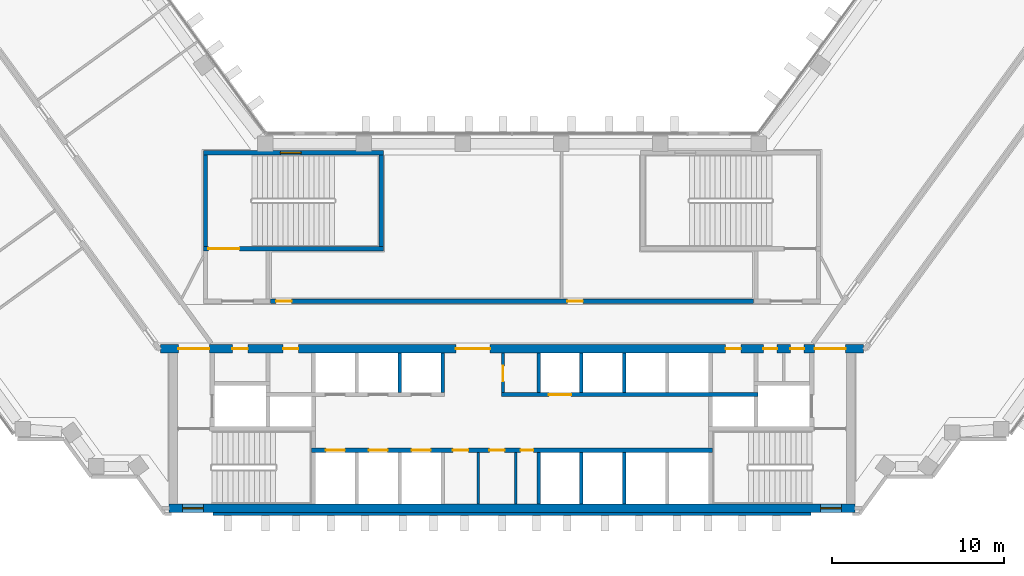
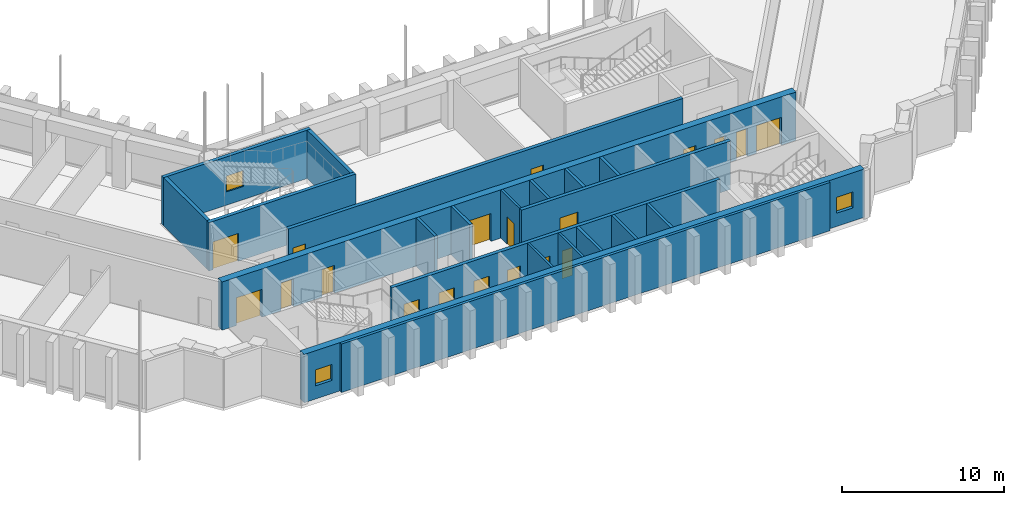
# One storey, part 10 of 16: 21 walls, 19 doors, 3 windows, 22 openings.
"""IFC4 building model written with IfcOpenShell, lengths in metres."""

from ifc_helpers import new_model, si_unit, direction, frame, frame_2d, origin, place, context, subcontext, project, spatial, rectangle, extrude, material, layer, layer_set, type_object, element, fill, save


model = new_model("IFC4")

# Units and contexts
model_context = context("Model", 3, precision=1e-05, world=origin(), true_north=direction((0.0, 1.0)))
body_context = subcontext(model_context, "Body", "Model", "MODEL_VIEW")
ifc_project = project(units=[si_unit("LENGTHUNIT", "METRE"), si_unit("AREAUNIT", "SQUARE_METRE"), si_unit("VOLUMEUNIT", "CUBIC_METRE"), si_unit("PLANEANGLEUNIT", "RADIAN"), si_unit("MASSUNIT", "GRAM", prefix="KILO")], contexts=[model_context])

# Site, building, storey
site_placement = place(None, origin())
site = spatial("IfcSite", under=ifc_project, at=site_placement, CompositionType="ELEMENT")
building_placement = place(site_placement, origin())
building = spatial("IfcBuilding", under=site, at=building_placement, Name="Quipu Civic Tower", CompositionType="ELEMENT")
storey_placement = place(building_placement, frame((0.0, 0.0, 89.0)))
storey = spatial("IfcBuildingStorey", under=building, at=storey_placement, Name="L20", CompositionType="ELEMENT", Elevation=89.0)

# Wall, openings, doors
ifc_material_1 = material(Name="Concrete C70/85", Category="concrete")
ifc_layer_1 = layer(ifc_material_1, 0.25)
ifc_layer_set_1 = layer_set([ifc_layer_1], Name="Concrete C70/85")
wall_type_1 = type_object("IfcWallType", Name="Core wall 250", PredefinedType="SHEAR", material=ifc_layer_set_1)
wall_1_placement = place(storey_placement, frame((11.699951171875, -7.375, 0.0), z_axis=(0.0, 0.0, 1.0), x_axis=(-1.0, 0.0, 0.0)))
wall_1 = element("IfcWall", 1, at=wall_1_placement, inside=storey, type_object=wall_type_1, Name="Core wall", PredefinedType="SHEAR", context=body_context, shape_type="SweptSolid", body=[
    extrude(rectangle(XDim=23.39990234375, YDim=0.25, at=frame_2d((11.699951171875, 0.0))), origin(), (0.0, 0.0, 1.0), 3.64990234375),
])
opening_1_placement = place(wall_1_placement, frame((21.449951171875, 0.0, 0.0)))
opening_1 = element("IfcOpeningElement", 2, at=opening_1_placement, cuts=wall_1, Name="Opening LD-LL1", PredefinedType="OPENING", context=body_context, shape_type="SweptSolid", body=[
    extrude(rectangle(XDim=1.10009765625, YDim=2.10009765625, at=frame_2d((0.550048828125, 1.050048828125))), frame((0.0, 0.135009765625, 0.0), z_axis=(0.0, -1.0, 0.0), x_axis=(1.0, 0.0, 0.0)), (0.0, 0.0, 1.0), 0.27001953125),
])
opening_2_placement = place(wall_1_placement, frame((18.949951171875, 0.0, 0.0)))
opening_2 = element("IfcOpeningElement", 3, at=opening_2_placement, cuts=wall_1, Name="Opening LD-LL2", PredefinedType="OPENING", context=body_context, shape_type="SweptSolid", body=[
    extrude(rectangle(XDim=1.10009765625, YDim=2.10009765625, at=frame_2d((0.550048828125, 1.050048828125))), frame((0.0, 0.135009765625, 0.0), z_axis=(0.0, -1.0, 0.0), x_axis=(1.0, 0.0, 0.0)), (0.0, 0.0, 1.0), 0.27001953125),
])
opening_3_placement = place(wall_1_placement, frame((16.449951171875, 0.0, 0.0)))
opening_3 = element("IfcOpeningElement", 4, at=opening_3_placement, cuts=wall_1, Name="Opening LD-LL3", PredefinedType="OPENING", context=body_context, shape_type="SweptSolid", body=[
    extrude(rectangle(XDim=1.10009765625, YDim=2.10009765625, at=frame_2d((0.550048828125, 1.050048828125))), frame((0.0, 0.135009765625, 0.0), z_axis=(0.0, -1.0, 0.0), x_axis=(1.0, 0.0, 0.0)), (0.0, 0.0, 1.0), 0.27001953125),
])
opening_4_placement = place(wall_1_placement, frame((14.25, 0.0, 0.0)))
opening_4 = element("IfcOpeningElement", 5, at=opening_4_placement, cuts=wall_1, Name="Opening CD-01", PredefinedType="OPENING", context=body_context, shape_type="SweptSolid", body=[
    extrude(rectangle(XDim=0.89990234375, YDim=2.10009765625, at=frame_2d((0.449951171875, 1.050048828125))), frame((0.0, 0.135009765625, 0.0), z_axis=(0.0, -1.0, 0.0), x_axis=(1.0, 0.0, 0.0)), (0.0, 0.0, 1.0), 0.27001953125),
])
opening_5_placement = place(wall_1_placement, frame((12.125, 0.0, 0.0)))
opening_5 = element("IfcOpeningElement", 6, at=opening_5_placement, cuts=wall_1, Name="Opening CD-02", PredefinedType="OPENING", context=body_context, shape_type="SweptSolid", body=[
    extrude(rectangle(XDim=0.89990234375, YDim=2.10009765625, at=frame_2d((0.449951171875, 1.050048828125))), frame((0.0, 0.135009765625, 0.0), z_axis=(0.0, -1.0, 0.0), x_axis=(1.0, 0.0, 0.0)), (0.0, 0.0, 1.0), 0.27001953125),
])
opening_6_placement = place(wall_1_placement, frame((10.449951171875, 0.0, 0.0)))
opening_6 = element("IfcOpeningElement", 7, at=opening_6_placement, cuts=wall_1, Name="Opening CD-03", PredefinedType="OPENING", context=body_context, shape_type="SweptSolid", body=[
    extrude(rectangle(XDim=0.75, YDim=2.10009765625, at=frame_2d((0.375, 1.050048828125))), frame((0.0, 0.135009765625, 0.0), z_axis=(0.0, -1.0, 0.0), x_axis=(1.0, 0.0, 0.0)), (0.0, 0.0, 1.0), 0.27001953125),
])
ifc_material_2 = material(Name="Fire rated steel door", Category="steel")
door_type_1 = type_object("IfcDoorType", Name="Fire door FD60 750 x 2100", OperationType="NOTDEFINED", PredefinedType="DOOR", material=ifc_material_2)
door_1_placement = place(opening_6_placement, origin())
door_1 = element("IfcDoor", 8, at=door_1_placement, inside=storey, type_object=door_type_1, Name="Door", OperationType="SINGLE_SWING_LEFT", OverallHeight=2.10009765625, OverallWidth=0.75, PredefinedType="DOOR", context=body_context, shape_type="SweptSolid", body=[
    extrude(rectangle(XDim=0.75, YDim=2.10009765625, at=frame_2d((0.375, 1.050048828125))), frame((0.0, 0.02490234375, 0.0), z_axis=(0.0, -1.0, 0.0), x_axis=(1.0, 0.0, 0.0)), (0.0, 0.0, 1.0), 0.050048828125),
])
fill(opening_6, door_1)
ifc_material_3 = material(Name="Fire rated steel door", Category="steel")
door_type_2 = type_object("IfcDoorType", Name="Fire door FD60 900 x 2100", OperationType="NOTDEFINED", PredefinedType="DOOR", material=ifc_material_3)
door_2_placement = place(opening_4_placement, origin())
door_2 = element("IfcDoor", 9, at=door_2_placement, inside=storey, type_object=door_type_2, Name="WC door", OperationType="SINGLE_SWING_RIGHT", OverallHeight=2.10009765625, OverallWidth=0.89990234375, PredefinedType="DOOR", context=body_context, shape_type="SweptSolid", body=[
    extrude(rectangle(XDim=0.89990234375, YDim=2.10009765625, at=frame_2d((0.449951171875, 1.050048828125))), frame((0.0, 0.02490234375, 0.0), z_axis=(0.0, -1.0, 0.0), x_axis=(1.0, 0.0, 0.0)), (0.0, 0.0, 1.0), 0.050048828125),
])
fill(opening_4, door_2)
door_3_placement = place(opening_5_placement, origin())
door_3 = element("IfcDoor", 10, at=door_3_placement, inside=storey, type_object=door_type_2, Name="WC door", OperationType="SINGLE_SWING_RIGHT", OverallHeight=2.10009765625, OverallWidth=0.89990234375, PredefinedType="DOOR", context=body_context, shape_type="SweptSolid", body=[
    extrude(rectangle(XDim=0.89990234375, YDim=2.10009765625, at=frame_2d((0.449951171875, 1.050048828125))), frame((0.0, 0.02490234375, 0.0), z_axis=(0.0, -1.0, 0.0), x_axis=(1.0, 0.0, 0.0)), (0.0, 0.0, 1.0), 0.050048828125),
])
fill(opening_5, door_3)
ifc_material_4 = material(Name="Stainless steel", Category="steel")
door_type_3 = type_object("IfcDoorType", Name="Lift landing door 1100 x 2100", OperationType="DOUBLE_DOOR_SLIDING", PredefinedType="DOOR", material=ifc_material_4)
door_4_placement = place(opening_1_placement, origin())
door_4 = element("IfcDoor", 11, at=door_4_placement, inside=storey, type_object=door_type_3, Name="Landing door LL1", OperationType="DOUBLE_DOOR_SLIDING", OverallHeight=2.10009765625, OverallWidth=1.10009765625, PredefinedType="DOOR", context=body_context, shape_type="SweptSolid", body=[
    extrude(rectangle(XDim=1.10009765625, YDim=2.10009765625, at=frame_2d((0.550048828125, 1.050048828125))), frame((0.0, 0.02490234375, 0.0), z_axis=(0.0, -1.0, 0.0), x_axis=(1.0, 0.0, 0.0)), (0.0, 0.0, 1.0), 0.050048828125),
])
fill(opening_1, door_4)
door_5_placement = place(opening_2_placement, origin())
door_5 = element("IfcDoor", 12, at=door_5_placement, inside=storey, type_object=door_type_3, Name="Landing door LL2", OperationType="DOUBLE_DOOR_SLIDING", OverallHeight=2.10009765625, OverallWidth=1.10009765625, PredefinedType="DOOR", context=body_context, shape_type="SweptSolid", body=[
    extrude(rectangle(XDim=1.10009765625, YDim=2.10009765625, at=frame_2d((0.550048828125, 1.050048828125))), frame((0.0, 0.02490234375, 0.0), z_axis=(0.0, -1.0, 0.0), x_axis=(1.0, 0.0, 0.0)), (0.0, 0.0, 1.0), 0.050048828125),
])
fill(opening_2, door_5)
door_6_placement = place(opening_3_placement, origin())
door_6 = element("IfcDoor", 13, at=door_6_placement, inside=storey, type_object=door_type_3, Name="Landing door LL3", OperationType="DOUBLE_DOOR_SLIDING", OverallHeight=2.10009765625, OverallWidth=1.10009765625, PredefinedType="DOOR", context=body_context, shape_type="SweptSolid", body=[
    extrude(rectangle(XDim=1.10009765625, YDim=2.10009765625, at=frame_2d((0.550048828125, 1.050048828125))), frame((0.0, 0.02490234375, 0.0), z_axis=(0.0, -1.0, 0.0), x_axis=(1.0, 0.0, 0.0)), (0.0, 0.0, 1.0), 0.050048828125),
])
fill(opening_3, door_6)

# Wall, opening, door
wall_2_placement = place(storey_placement, frame((-0.60009765625, -4.125, 0.0), z_axis=(0.0, 0.0, 1.0), x_axis=(1.0, 0.0, 0.0)))
wall_2 = element("IfcWall", 14, at=wall_2_placement, inside=storey, type_object=wall_type_1, Name="Core wall", PredefinedType="SHEAR", context=body_context, shape_type="SweptSolid", body=[
    extrude(rectangle(XDim=14.9501953125, YDim=0.25, at=frame_2d((7.47509765625, 0.0))), origin(), (0.0, 0.0, 1.0), 3.64990234375),
])
opening_7_placement = place(wall_2_placement, frame((2.75, 0.0, 0.0)))
opening_7 = element("IfcOpeningElement", 15, at=opening_7_placement, cuts=wall_2, Name="Opening LD-FF3", PredefinedType="OPENING", context=body_context, shape_type="SweptSolid", body=[
    extrude(rectangle(XDim=1.300048828125, YDim=2.10009765625, at=frame_2d((0.64990234375, 1.050048828125))), frame((0.0, 0.135009765625, 0.0), z_axis=(0.0, -1.0, 0.0), x_axis=(1.0, 0.0, 0.0)), (0.0, 0.0, 1.0), 0.27001953125),
])
ifc_material_5 = material(Name="Stainless steel", Category="steel")
door_type_4 = type_object("IfcDoorType", Name="Lift landing door 1300 x 2100", OperationType="DOUBLE_DOOR_SLIDING", PredefinedType="DOOR", material=ifc_material_5)
door_7_placement = place(opening_7_placement, origin())
door_7 = element("IfcDoor", 16, at=door_7_placement, inside=storey, type_object=door_type_4, Name="Landing door FF3", OperationType="DOUBLE_DOOR_SLIDING", OverallHeight=2.10009765625, OverallWidth=1.300048828125, PredefinedType="DOOR", context=body_context, shape_type="SweptSolid", body=[
    extrude(rectangle(XDim=1.300048828125, YDim=2.10009765625, at=frame_2d((0.64990234375, 1.050048828125))), frame((0.0, 0.02490234375, 0.0), z_axis=(0.0, -1.0, 0.0), x_axis=(1.0, 0.0, 0.0)), (0.0, 0.0, 1.0), 0.050048828125),
])
fill(opening_7, door_7)

wall_3_placement = place(storey_placement, frame((-18.0, 4.375, 0.0), z_axis=(0.0, 0.0, 1.0), x_axis=(1.0, 0.0, 0.0)))
wall_3 = element("IfcWall", 17, at=wall_3_placement, inside=storey, type_object=wall_type_1, Name="Core wall", PredefinedType="SHEAR", context=body_context, shape_type="SweptSolid", body=[
    extrude(rectangle(XDim=10.5, YDim=0.25, at=frame_2d((5.25, 0.0))), origin(), (0.0, 0.0, 1.0), 3.64990234375),
])
opening_8_placement = place(wall_3_placement, frame((0.300048828125, 0.0, 0.0)))
opening_8 = element("IfcOpeningElement", 18, at=opening_8_placement, cuts=wall_3, Name="Opening CD-16", PredefinedType="OPENING", context=body_context, shape_type="SweptSolid", body=[
    extrude(rectangle(XDim=1.800048828125, YDim=2.10009765625, at=frame_2d((0.89990234375, 1.050048828125))), frame((0.0, 0.135009765625, 0.0), z_axis=(0.0, -1.0, 0.0), x_axis=(1.0, 0.0, 0.0)), (0.0, 0.0, 1.0), 0.27001953125),
])
ifc_material_6 = material(Name="Fire rated steel door", Category="steel")
door_type_5 = type_object("IfcDoorType", Name="Fire door FD90 double 1800 x 2100", OperationType="NOTDEFINED", PredefinedType="DOOR", material=ifc_material_6)
door_8_placement = place(opening_8_placement, origin())
door_8 = element("IfcDoor", 19, at=door_8_placement, inside=storey, type_object=door_type_5, Name="Door", OperationType="DOUBLE_DOOR_SINGLE_SWING", OverallHeight=2.10009765625, OverallWidth=1.800048828125, PredefinedType="DOOR", context=body_context, shape_type="SweptSolid", body=[
    extrude(rectangle(XDim=1.800048828125, YDim=2.10009765625, at=frame_2d((0.89990234375, 1.050048828125))), frame((0.0, 0.02490234375, 0.0), z_axis=(0.0, -1.0, 0.0), x_axis=(1.0, 0.0, 0.0)), (0.0, 0.0, 1.0), 0.050048828125),
])
fill(opening_8, door_8)

# Walls
for number, where, z_axis, x_axis, name in (
    (20, (-17.875, 4.5, 0.0), (0.0, 0.0, 1.0), (0.0, 1.0, 0.0), "Core wall"),
    (21, (-7.625, 4.5, 0.0), (0.0, 0.0, 1.0), (0.0, 1.0, 0.0), "Core wall"),
):
    element("IfcWall", number, at=place(storey_placement, frame(where, z_axis=z_axis, x_axis=x_axis)), inside=storey, type_object=wall_type_1, Name=name, PredefinedType="SHEAR", context=body_context, shape_type="SweptSolid", body=[
        extrude(rectangle(XDim=5.35009765625, YDim=0.25, at=frame_2d((2.675048828125, 0.0))), origin(), (0.0, 0.0, 1.0), 3.64990234375),
    ])

# Wall, opening, window
wall_4_placement = place(storey_placement, frame((-18.0, 9.97509765625, 0.0), z_axis=(0.0, 0.0, 1.0), x_axis=(1.0, 0.0, 0.0)))
wall_4 = element("IfcWall", 22, at=wall_4_placement, inside=storey, type_object=wall_type_1, Name="Core wall", PredefinedType="SHEAR", context=body_context, shape_type="SweptSolid", body=[
    extrude(rectangle(XDim=10.5, YDim=0.25, at=frame_2d((5.25, 0.0))), origin(), (0.0, 0.0, 1.0), 3.64990234375),
])
opening_9_placement = place(wall_4_placement, frame((4.5, 0.0, 1.0)))
opening_9 = element("IfcOpeningElement", 23, at=opening_9_placement, cuts=wall_4, Name="Opening SV-3", PredefinedType="OPENING", context=body_context, shape_type="SweptSolid", body=[
    extrude(rectangle(XDim=1.199951171875, YDim=1.199951171875, at=frame_2d((0.60009765625, 0.60009765625))), frame((0.0, 0.135009765625, 0.0), z_axis=(0.0, -1.0, 0.0), x_axis=(1.0, 0.0, 0.0)), (0.0, 0.0, 1.0), 0.27001953125),
])
ifc_material_7 = material(Name="Aluminium louvre", Category="aluminium")
window_type = type_object("IfcWindowType", Name="Stair ventilation louvre 1200 x 1200", PartitioningType="SINGLE_PANEL", PredefinedType="WINDOW", material=ifc_material_7)
window_1_placement = place(opening_9_placement, origin())
window_1 = element("IfcWindow", 24, at=window_1_placement, inside=storey, type_object=window_type, Name="Stair ventilation opening", OverallHeight=1.199951171875, OverallWidth=1.199951171875, PartitioningType="SINGLE_PANEL", PredefinedType="WINDOW", context=body_context, shape_type="SweptSolid", body=[
    extrude(rectangle(XDim=1.199951171875, YDim=1.199951171875, at=frame_2d((0.60009765625, 0.60009765625))), frame((0.0, 0.030029296875, 0.0), z_axis=(0.0, -1.0, 0.0), x_axis=(1.0, 0.0, 0.0)), (0.0, 0.0, 1.0), 0.06005859375),
])
fill(opening_9, window_1)

# Wall, openings, windows
ifc_material_8 = material(Name="Concrete C70/85", Category="concrete")
ifc_layer_2 = layer(ifc_material_8, 0.5)
ifc_layer_set_2 = layer_set([ifc_layer_2], Name="Concrete C70/85")
wall_type_2 = type_object("IfcWallType", Name="Core wall 500", PredefinedType="SHEAR", material=ifc_layer_set_2)
wall_5_placement = place(storey_placement, frame((-20.0, -10.75, 0.0), z_axis=(0.0, 0.0, 1.0), x_axis=(1.0, 0.0, 0.0)))
wall_5 = element("IfcWall", 25, at=wall_5_placement, inside=storey, type_object=wall_type_2, Name="Core wall", PredefinedType="SHEAR", context=body_context, shape_type="SweptSolid", body=[
    extrude(rectangle(XDim=40.0, YDim=0.5, at=frame_2d((20.0, 0.0))), origin(), (0.0, 0.0, 1.0), 3.64990234375),
])
opening_10_placement = place(wall_5_placement, frame((0.800048828125, 0.0, 1.0)))
opening_10 = element("IfcOpeningElement", 26, at=opening_10_placement, cuts=wall_5, Name="Opening SV-1", PredefinedType="OPENING", context=body_context, shape_type="SweptSolid", body=[
    extrude(rectangle(XDim=1.199951171875, YDim=1.199951171875, at=frame_2d((0.60009765625, 0.60009765625))), frame((0.0, 0.260009765625, 0.0), z_axis=(0.0, -1.0, 0.0), x_axis=(1.0, 0.0, 0.0)), (0.0, 0.0, 1.0), 0.52001953125),
])
opening_11_placement = place(wall_5_placement, frame((38.0, 0.0, 1.0)))
opening_11 = element("IfcOpeningElement", 27, at=opening_11_placement, cuts=wall_5, Name="Opening SV-2", PredefinedType="OPENING", context=body_context, shape_type="SweptSolid", body=[
    extrude(rectangle(XDim=1.199951171875, YDim=1.199951171875, at=frame_2d((0.60009765625, 0.60009765625))), frame((0.0, 0.260009765625, 0.0), z_axis=(0.0, -1.0, 0.0), x_axis=(1.0, 0.0, 0.0)), (0.0, 0.0, 1.0), 0.52001953125),
])
window_2_placement = place(opening_10_placement, origin())
window_2 = element("IfcWindow", 28, at=window_2_placement, inside=storey, type_object=window_type, Name="Stair ventilation opening", OverallHeight=1.199951171875, OverallWidth=1.199951171875, PartitioningType="SINGLE_PANEL", PredefinedType="WINDOW", context=body_context, shape_type="SweptSolid", body=[
    extrude(rectangle(XDim=1.199951171875, YDim=1.199951171875, at=frame_2d((0.60009765625, 0.60009765625))), frame((0.0, 0.030029296875, 0.0), z_axis=(0.0, -1.0, 0.0), x_axis=(1.0, 0.0, 0.0)), (0.0, 0.0, 1.0), 0.06005859375),
])
fill(opening_10, window_2)
window_3_placement = place(opening_11_placement, origin())
window_3 = element("IfcWindow", 29, at=window_3_placement, inside=storey, type_object=window_type, Name="Stair ventilation opening", OverallHeight=1.199951171875, OverallWidth=1.199951171875, PartitioningType="SINGLE_PANEL", PredefinedType="WINDOW", context=body_context, shape_type="SweptSolid", body=[
    extrude(rectangle(XDim=1.199951171875, YDim=1.199951171875, at=frame_2d((0.60009765625, 0.60009765625))), frame((0.0, 0.030029296875, 0.0), z_axis=(0.0, -1.0, 0.0), x_axis=(1.0, 0.0, 0.0)), (0.0, 0.0, 1.0), 0.06005859375),
])
fill(opening_11, window_3)

# Wall, openings, doors
wall_6_placement = place(storey_placement, frame((20.489990234375, -1.449951171875, 0.0), z_axis=(0.0, 0.0, 1.0), x_axis=(-1.0, 0.0, 0.0)))
wall_6 = element("IfcWall", 30, at=wall_6_placement, inside=storey, type_object=wall_type_2, Name="Core wall", PredefinedType="SHEAR", context=body_context, shape_type="SweptSolid", body=[
    extrude(rectangle(XDim=40.97998046875, YDim=0.5, at=frame_2d((20.489990234375, 0.0))), origin(), (0.0, 0.0, 1.0), 3.64990234375),
])
opening_12_placement = place(wall_6_placement, frame((38.139892578125, 0.0, 0.0)))
opening_12 = element("IfcOpeningElement", 31, at=opening_12_placement, cuts=wall_6, Name="Opening CD-07", PredefinedType="OPENING", context=body_context, shape_type="SweptSolid", body=[
    extrude(rectangle(XDim=1.800048828125, YDim=2.10009765625, at=frame_2d((0.89990234375, 1.050048828125))), frame((0.0, 0.260009765625, 0.0), z_axis=(0.0, -1.0, 0.0), x_axis=(1.0, 0.0, 0.0)), (0.0, 0.0, 1.0), 0.52001953125),
])
opening_13_placement = place(wall_6_placement, frame((35.889892578125, 0.0, 0.0)))
opening_13 = element("IfcOpeningElement", 32, at=opening_13_placement, cuts=wall_6, Name="Opening CD-08", PredefinedType="OPENING", context=body_context, shape_type="SweptSolid", body=[
    extrude(rectangle(XDim=0.89990234375, YDim=2.10009765625, at=frame_2d((0.449951171875, 1.050048828125))), frame((0.0, 0.260009765625, 0.0), z_axis=(0.0, -1.0, 0.0), x_axis=(1.0, 0.0, 0.0)), (0.0, 0.0, 1.0), 0.52001953125),
])
opening_14_placement = place(wall_6_placement, frame((32.93994140625, 0.0, 0.0)))
opening_14 = element("IfcOpeningElement", 33, at=opening_14_placement, cuts=wall_6, Name="Opening CD-09", PredefinedType="OPENING", context=body_context, shape_type="SweptSolid", body=[
    extrude(rectangle(XDim=0.89990234375, YDim=2.10009765625, at=frame_2d((0.449951171875, 1.050048828125))), frame((0.0, 0.260009765625, 0.0), z_axis=(0.0, -1.0, 0.0), x_axis=(1.0, 0.0, 0.0)), (0.0, 0.0, 1.0), 0.52001953125),
])
opening_15_placement = place(wall_6_placement, frame((21.764892578125, 0.0, 0.0)))
opening_15 = element("IfcOpeningElement", 34, at=opening_15_placement, cuts=wall_6, Name="Opening CD-10", PredefinedType="OPENING", context=body_context, shape_type="SweptSolid", body=[
    extrude(rectangle(XDim=2.0, YDim=2.10009765625, at=frame_2d((1.0, 1.050048828125))), frame((0.0, 0.260009765625, 0.0), z_axis=(0.0, -1.0, 0.0), x_axis=(1.0, 0.0, 0.0)), (0.0, 0.0, 1.0), 0.52001953125),
])
opening_16_placement = place(wall_6_placement, frame((7.139892578125, 0.0, 0.0)))
opening_16 = element("IfcOpeningElement", 35, at=opening_16_placement, cuts=wall_6, Name="Opening CD-11", PredefinedType="OPENING", context=body_context, shape_type="SweptSolid", body=[
    extrude(rectangle(XDim=0.89990234375, YDim=2.10009765625, at=frame_2d((0.449951171875, 1.050048828125))), frame((0.0, 0.260009765625, 0.0), z_axis=(0.0, -1.0, 0.0), x_axis=(1.0, 0.0, 0.0)), (0.0, 0.0, 1.0), 0.52001953125),
])
opening_17_placement = place(wall_6_placement, frame((5.027587890625, 0.0, 0.0)))
opening_17 = element("IfcOpeningElement", 36, at=opening_17_placement, cuts=wall_6, Name="Opening CD-12", PredefinedType="OPENING", context=body_context, shape_type="SweptSolid", body=[
    extrude(rectangle(XDim=0.800048828125, YDim=2.10009765625, at=frame_2d((0.39990234375, 1.050048828125))), frame((0.0, 0.260009765625, 0.0), z_axis=(0.0, -1.0, 0.0), x_axis=(1.0, 0.0, 0.0)), (0.0, 0.0, 1.0), 0.52001953125),
])
opening_18_placement = place(wall_6_placement, frame((3.452392578125, 0.0, 0.0)))
opening_18 = element("IfcOpeningElement", 37, at=opening_18_placement, cuts=wall_6, Name="Opening CD-13", PredefinedType="OPENING", context=body_context, shape_type="SweptSolid", body=[
    extrude(rectangle(XDim=0.800048828125, YDim=2.10009765625, at=frame_2d((0.39990234375, 1.050048828125))), frame((0.0, 0.260009765625, 0.0), z_axis=(0.0, -1.0, 0.0), x_axis=(1.0, 0.0, 0.0)), (0.0, 0.0, 1.0), 0.52001953125),
])
opening_19_placement = place(wall_6_placement, frame((1.0400390625, 0.0, 0.0)))
opening_19 = element("IfcOpeningElement", 38, at=opening_19_placement, cuts=wall_6, Name="Opening CD-14", PredefinedType="OPENING", context=body_context, shape_type="SweptSolid", body=[
    extrude(rectangle(XDim=1.800048828125, YDim=2.10009765625, at=frame_2d((0.89990234375, 1.050048828125))), frame((0.0, 0.260009765625, 0.0), z_axis=(0.0, -1.0, 0.0), x_axis=(1.0, 0.0, 0.0)), (0.0, 0.0, 1.0), 0.52001953125),
])
ifc_material_9 = material(Name="Fire rated steel door", Category="steel")
door_type_6 = type_object("IfcDoorType", Name="Fire door FD60 800 x 2100", OperationType="NOTDEFINED", PredefinedType="DOOR", material=ifc_material_9)
door_9_placement = place(opening_17_placement, origin())
door_9 = element("IfcDoor", 39, at=door_9_placement, inside=storey, type_object=door_type_6, Name="Door", OperationType="SINGLE_SWING_LEFT", OverallHeight=2.10009765625, OverallWidth=0.800048828125, PredefinedType="DOOR", context=body_context, shape_type="SweptSolid", body=[
    extrude(rectangle(XDim=0.800048828125, YDim=2.10009765625, at=frame_2d((0.39990234375, 1.050048828125))), frame((0.0, 0.02490234375, 0.0), z_axis=(0.0, -1.0, 0.0), x_axis=(1.0, 0.0, 0.0)), (0.0, 0.0, 1.0), 0.050048828125),
])
fill(opening_17, door_9)
door_10_placement = place(opening_18_placement, origin())
door_10 = element("IfcDoor", 40, at=door_10_placement, inside=storey, type_object=door_type_6, Name="Door", OperationType="SINGLE_SWING_LEFT", OverallHeight=2.10009765625, OverallWidth=0.800048828125, PredefinedType="DOOR", context=body_context, shape_type="SweptSolid", body=[
    extrude(rectangle(XDim=0.800048828125, YDim=2.10009765625, at=frame_2d((0.39990234375, 1.050048828125))), frame((0.0, 0.02490234375, 0.0), z_axis=(0.0, -1.0, 0.0), x_axis=(1.0, 0.0, 0.0)), (0.0, 0.0, 1.0), 0.050048828125),
])
fill(opening_18, door_10)
door_11_placement = place(opening_13_placement, origin())
door_11 = element("IfcDoor", 41, at=door_11_placement, inside=storey, type_object=door_type_2, Name="Door", OperationType="SINGLE_SWING_RIGHT", OverallHeight=2.10009765625, OverallWidth=0.89990234375, PredefinedType="DOOR", context=body_context, shape_type="SweptSolid", body=[
    extrude(rectangle(XDim=0.89990234375, YDim=2.10009765625, at=frame_2d((0.449951171875, 1.050048828125))), frame((0.0, 0.02490234375, 0.0), z_axis=(0.0, -1.0, 0.0), x_axis=(1.0, 0.0, 0.0)), (0.0, 0.0, 1.0), 0.050048828125),
])
fill(opening_13, door_11)
door_12_placement = place(opening_14_placement, origin())
door_12 = element("IfcDoor", 42, at=door_12_placement, inside=storey, type_object=door_type_2, Name="Riser door", OperationType="SINGLE_SWING_RIGHT", OverallHeight=2.10009765625, OverallWidth=0.89990234375, PredefinedType="DOOR", context=body_context, shape_type="SweptSolid", body=[
    extrude(rectangle(XDim=0.89990234375, YDim=2.10009765625, at=frame_2d((0.449951171875, 1.050048828125))), frame((0.0, 0.02490234375, 0.0), z_axis=(0.0, -1.0, 0.0), x_axis=(1.0, 0.0, 0.0)), (0.0, 0.0, 1.0), 0.050048828125),
])
fill(opening_14, door_12)
door_13_placement = place(opening_16_placement, origin())
door_13 = element("IfcDoor", 43, at=door_13_placement, inside=storey, type_object=door_type_2, Name="Riser door", OperationType="SINGLE_SWING_LEFT", OverallHeight=2.10009765625, OverallWidth=0.89990234375, PredefinedType="DOOR", context=body_context, shape_type="SweptSolid", body=[
    extrude(rectangle(XDim=0.89990234375, YDim=2.10009765625, at=frame_2d((0.449951171875, 1.050048828125))), frame((0.0, 0.02490234375, 0.0), z_axis=(0.0, -1.0, 0.0), x_axis=(1.0, 0.0, 0.0)), (0.0, 0.0, 1.0), 0.050048828125),
])
fill(opening_16, door_13)
door_14_placement = place(opening_12_placement, origin())
door_14 = element("IfcDoor", 44, at=door_14_placement, inside=storey, type_object=door_type_5, Name="Lobby door", OperationType="DOUBLE_DOOR_SINGLE_SWING", OverallHeight=2.10009765625, OverallWidth=1.800048828125, PredefinedType="DOOR", context=body_context, shape_type="SweptSolid", body=[
    extrude(rectangle(XDim=1.800048828125, YDim=2.10009765625, at=frame_2d((0.89990234375, 1.050048828125))), frame((0.0, 0.02490234375, 0.0), z_axis=(0.0, -1.0, 0.0), x_axis=(1.0, 0.0, 0.0)), (0.0, 0.0, 1.0), 0.050048828125),
])
fill(opening_12, door_14)
door_15_placement = place(opening_19_placement, origin())
door_15 = element("IfcDoor", 45, at=door_15_placement, inside=storey, type_object=door_type_5, Name="Lobby door", OperationType="DOUBLE_DOOR_SINGLE_SWING", OverallHeight=2.10009765625, OverallWidth=1.800048828125, PredefinedType="DOOR", context=body_context, shape_type="SweptSolid", body=[
    extrude(rectangle(XDim=1.800048828125, YDim=2.10009765625, at=frame_2d((0.89990234375, 1.050048828125))), frame((0.0, 0.02490234375, 0.0), z_axis=(0.0, -1.0, 0.0), x_axis=(1.0, 0.0, 0.0)), (0.0, 0.0, 1.0), 0.050048828125),
])
fill(opening_19, door_15)
ifc_material_10 = material(Name="Fire rated steel door", Category="steel")
door_type_7 = type_object("IfcDoorType", Name="Fire door FD90 double 2000 x 2100", OperationType="NOTDEFINED", PredefinedType="DOOR", material=ifc_material_10)
door_16_placement = place(opening_15_placement, origin())
door_16 = element("IfcDoor", 46, at=door_16_placement, inside=storey, type_object=door_type_7, Name="Lobby door", OperationType="DOUBLE_DOOR_SINGLE_SWING", OverallHeight=2.10009765625, OverallWidth=2.0, PredefinedType="DOOR", context=body_context, shape_type="SweptSolid", body=[
    extrude(rectangle(XDim=2.0, YDim=2.10009765625, at=frame_2d((1.0, 1.050048828125))), frame((0.0, 0.02490234375, 0.0), z_axis=(0.0, -1.0, 0.0), x_axis=(1.0, 0.0, 0.0)), (0.0, 0.0, 1.0), 0.050048828125),
])
fill(opening_15, door_16)

ifc_material_11 = material(Name="Concrete C50/60", Category="concrete")
ifc_layer_3 = layer(ifc_material_11, 0.25)
ifc_layer_set_3 = layer_set([ifc_layer_3], Name="Concrete C50/60")
wall_type_3 = type_object("IfcWallType", Name="Corridor wall 250 concrete", PredefinedType="SOLIDWALL", material=ifc_layer_set_3)
wall_7_placement = place(storey_placement, frame((-14.090087890625, 1.324951171875, 0.0), z_axis=(0.0, 0.0, 1.0), x_axis=(1.0, 0.0, 0.0)))
wall_7 = element("IfcWall", 47, at=wall_7_placement, inside=storey, type_object=wall_type_3, Name="Corridor wall C04", PredefinedType="SOLIDWALL", context=body_context, shape_type="SweptSolid", body=[
    extrude(rectangle(XDim=28.18017578125, YDim=0.25, at=frame_2d((14.090087890625, 0.0))), origin(), (0.0, 0.0, 1.0), 3.64990234375),
])
opening_20_placement = place(wall_7_placement, frame((17.319091796875, 0.0, 0.0)))
opening_20 = element("IfcOpeningElement", 48, at=opening_20_placement, cuts=wall_7, Name="Opening D007", PredefinedType="OPENING", context=body_context, shape_type="SweptSolid", body=[
    extrude(rectangle(XDim=0.89990234375, YDim=2.10009765625, at=frame_2d((0.449951171875, 1.050048828125))), frame((0.0, 0.135009765625, 0.0), z_axis=(0.0, -1.0, 0.0), x_axis=(1.0, 0.0, 0.0)), (0.0, 0.0, 1.0), 0.27001953125),
])
opening_21_placement = place(wall_7_placement, frame((0.340087890625, 0.0, 0.0)))
opening_21 = element("IfcOpeningElement", 49, at=opening_21_placement, cuts=wall_7, Name="Opening D006", PredefinedType="OPENING", context=body_context, shape_type="SweptSolid", body=[
    extrude(rectangle(XDim=0.89990234375, YDim=2.10009765625, at=frame_2d((0.449951171875, 1.050048828125))), frame((0.0, 0.135009765625, 0.0), z_axis=(0.0, -1.0, 0.0), x_axis=(1.0, 0.0, 0.0)), (0.0, 0.0, 1.0), 0.27001953125),
])
ifc_material_12 = material(Name="Fire rated timber door set with metal frame", Category="wood")
door_type_8 = type_object("IfcDoorType", Name="Single door 900 x 2100 FD60", OperationType="NOTDEFINED", PredefinedType="DOOR", material=ifc_material_12)
door_17_placement = place(opening_20_placement, origin())
door_17 = element("IfcDoor", 50, at=door_17_placement, inside=storey, type_object=door_type_8, Name="Door D007", OperationType="SINGLE_SWING_LEFT", OverallHeight=2.10009765625, OverallWidth=0.89990234375, PredefinedType="DOOR", context=body_context, shape_type="SweptSolid", body=[
    extrude(rectangle(XDim=0.89990234375, YDim=2.10009765625, at=frame_2d((0.449951171875, 1.050048828125))), frame((0.0, 0.02490234375, 0.0), z_axis=(0.0, -1.0, 0.0), x_axis=(1.0, 0.0, 0.0)), (0.0, 0.0, 1.0), 0.050048828125),
])
fill(opening_20, door_17)
door_18_placement = place(opening_21_placement, origin())
door_18 = element("IfcDoor", 51, at=door_18_placement, inside=storey, type_object=door_type_8, Name="Door D006", OperationType="SINGLE_SWING_LEFT", OverallHeight=2.10009765625, OverallWidth=0.89990234375, PredefinedType="DOOR", context=body_context, shape_type="SweptSolid", body=[
    extrude(rectangle(XDim=0.89990234375, YDim=2.10009765625, at=frame_2d((0.449951171875, 1.050048828125))), frame((0.0, 0.02490234375, 0.0), z_axis=(0.0, -1.0, 0.0), x_axis=(1.0, 0.0, 0.0)), (0.0, 0.0, 1.0), 0.050048828125),
])
fill(opening_21, door_18)

# Walls
ifc_material_13 = material(Name="Gypsum board partition")
ifc_layer_4 = layer(ifc_material_13, 0.14990234375)
ifc_layer_set_4 = layer_set([ifc_layer_4], Name="Gypsum board partition")
wall_type_4 = type_object("IfcWallType", Name="Partition 150", PredefinedType="PARTITIONING", material=ifc_layer_set_4)
for number, where, z_axis, x_axis, name in (
    (52, (-1.97509765625, -10.5, 0.0), (0.0, 0.0, 1.0), (0.0, 1.0, 0.0), "Partition"),
    (53, (0.22509765625, -10.5, 0.0), (0.0, 0.0, 1.0), (0.0, 1.0, 0.0), "Partition"),
):
    element("IfcWall", number, at=place(storey_placement, frame(where, z_axis=z_axis, x_axis=x_axis)), inside=storey, type_object=wall_type_4, Name=name, PredefinedType="PARTITIONING", context=body_context, shape_type="SweptSolid", body=[
        extrude(rectangle(XDim=3.0, YDim=0.14990234375, at=frame_2d((1.5, 0.0))), origin(), (0.0, 0.0, 1.0), 3.64990234375),
    ])

# Wall, opening, door
wall_8_placement = place(storey_placement, frame((-0.52490234375, -4.0, 0.0), z_axis=(0.0, 0.0, 1.0), x_axis=(0.0, 1.0, 0.0)))
wall_8 = element("IfcWall", 54, at=wall_8_placement, inside=storey, type_object=wall_type_4, Name="Partition", PredefinedType="PARTITIONING", context=body_context, shape_type="SweptSolid", body=[
    extrude(rectangle(XDim=2.300048828125, YDim=0.14990234375, at=frame_2d((1.14990234375, 0.0))), origin(), (0.0, 0.0, 1.0), 3.64990234375),
])
opening_22_placement = place(wall_8_placement, frame((0.64990234375, 0.0, 0.0)))
opening_22 = element("IfcOpeningElement", 55, at=opening_22_placement, cuts=wall_8, Name="Opening CD-06", PredefinedType="OPENING", context=body_context, shape_type="SweptSolid", body=[
    extrude(rectangle(XDim=0.89990234375, YDim=2.10009765625, at=frame_2d((0.449951171875, 1.050048828125))), frame((0.0, 0.0849609375, 0.0), z_axis=(0.0, -1.0, 0.0), x_axis=(1.0, 0.0, 0.0)), (0.0, 0.0, 1.0), 0.169921875),
])
door_19_placement = place(opening_22_placement, origin())
door_19 = element("IfcDoor", 56, at=door_19_placement, inside=storey, type_object=door_type_2, Name="WC door", OperationType="SINGLE_SWING_LEFT", OverallHeight=2.10009765625, OverallWidth=0.89990234375, PredefinedType="DOOR", context=body_context, shape_type="SweptSolid", body=[
    extrude(rectangle(XDim=0.89990234375, YDim=2.10009765625, at=frame_2d((0.449951171875, 1.050048828125))), frame((0.0, 0.02490234375, 0.0), z_axis=(0.0, -1.0, 0.0), x_axis=(1.0, 0.0, 0.0)), (0.0, 0.0, 1.0), 0.050048828125),
])
fill(opening_22, door_19)

# Walls
ifc_material_14 = material(Name="Precast concrete C40/50", Category="concrete")
wall_type_5 = type_object("IfcWallType", Name="Precast cladding wall", PredefinedType="SOLIDWALL", material=ifc_material_14)
wall_9_placement = place(storey_placement, frame((-17.44384765625, -11.087890625, 0.0), z_axis=(0.0, 0.0, 1.0), x_axis=(1.0, 0.0, 0.0)))
element("IfcWall", 57, at=wall_9_placement, inside=storey, type_object=wall_type_5, Name="Precast cladding wall L20 P29", PredefinedType="SOLIDWALL", context=body_context, shape_type="SweptSolid", body=[
    extrude(rectangle(XDim=34.8876953125, YDim=0.199951171875, at=frame_2d((17.44384765625, 0.0))), origin(), (0.0, 0.0, 1.0), 3.64990234375),
])
ifc_material_15 = material(Name="Concrete C40/50", Category="concrete")
ifc_layer_5 = layer(ifc_material_15, 0.199951171875)
ifc_layer_set_5 = layer_set([ifc_layer_5], Name="Concrete C40/50")
wall_type_6 = type_object("IfcWallType", Name="Shaft wall 200", PredefinedType="SOLIDWALL", material=ifc_layer_set_5)
for number, where, z_axis, x_axis, name in (
    (58, (1.550048828125, -10.5, 0.0), (0.0, 0.0, 1.0), (0.0, 1.0, 0.0), "Shaft wall"),
    (59, (4.050048828125, -10.5, 0.0), (0.0, 0.0, 1.0), (0.0, 1.0, 0.0), "Shaft wall"),
    (60, (6.550048828125, -10.5, 0.0), (0.0, 0.0, 1.0), (0.0, 1.0, 0.0), "Shaft wall"),
):
    element("IfcWall", number, at=place(storey_placement, frame(where, z_axis=z_axis, x_axis=x_axis)), inside=storey, type_object=wall_type_6, Name=name, PredefinedType="SOLIDWALL", context=body_context, shape_type="SweptSolid", body=[
        extrude(rectangle(XDim=3.0, YDim=0.199951171875, at=frame_2d((1.5, 0.0))), origin(), (0.0, 0.0, 1.0), 3.64990234375),
    ])
for number, where, z_axis, x_axis, name in (
    (61, (-6.550048828125, -4.0, 0.0), (0.0, 0.0, 1.0), (0.0, 1.0, 0.0), "Shaft wall"),
    (62, (-4.050048828125, -4.0, 0.0), (0.0, 0.0, 1.0), (0.0, 1.0, 0.0), "Shaft wall"),
    (63, (1.550048828125, -4.0, 0.0), (0.0, 0.0, 1.0), (0.0, 1.0, 0.0), "Shaft wall"),
    (64, (4.050048828125, -4.0, 0.0), (0.0, 0.0, 1.0), (0.0, 1.0, 0.0), "Shaft wall"),
    (65, (6.550048828125, -4.0, 0.0), (0.0, 0.0, 1.0), (0.0, 1.0, 0.0), "Shaft wall"),
):
    element("IfcWall", number, at=place(storey_placement, frame(where, z_axis=z_axis, x_axis=x_axis)), inside=storey, type_object=wall_type_6, Name=name, PredefinedType="SOLIDWALL", context=body_context, shape_type="SweptSolid", body=[
        extrude(rectangle(XDim=2.300048828125, YDim=0.199951171875, at=frame_2d((1.14990234375, 0.0))), origin(), (0.0, 0.0, 1.0), 3.64990234375),
    ])

save(model, "model.ifc")
